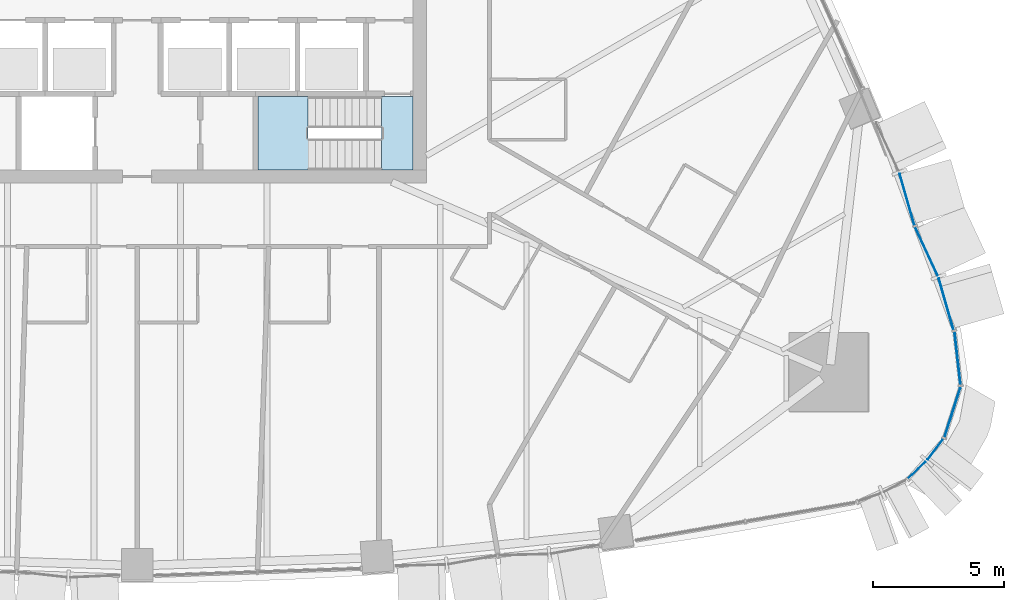
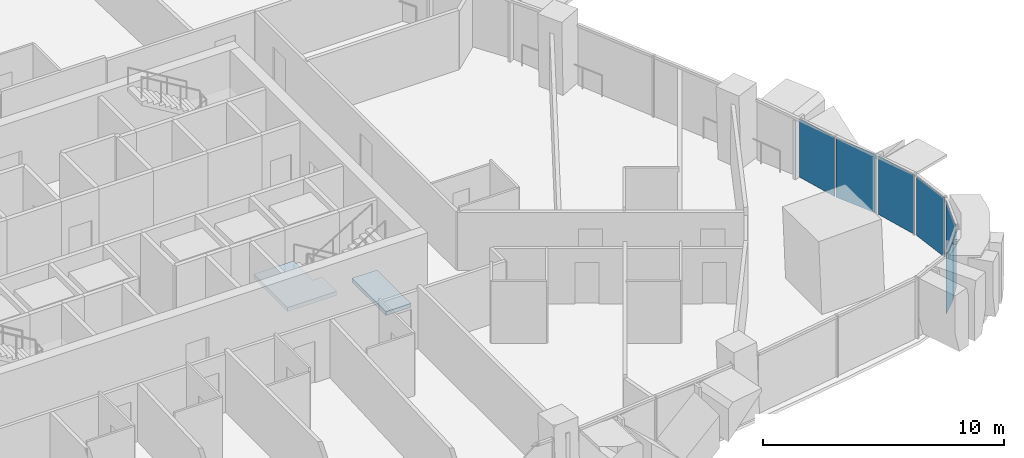
# One storey, part 9 of 19: 7 plates, 2 slabs, 5 elements without a shape of their own.
"""IFC4 building model written with IfcOpenShell, lengths in metres."""

from ifc_helpers import new_model, si_unit, direction, frame, origin, origin_2d, place, context, subcontext, project, spatial, polyline, rectangle, outline, extrude, material, layer, layer_set, type_object, element, aggregate, save


model = new_model("IFC4")

# Units and contexts
model_context = context("Model", 3, precision=1e-05, world=origin(), true_north=direction((0.0, 1.0)))
body_context = subcontext(model_context, "Body", "Model", "MODEL_VIEW")
ifc_project = project(units=[si_unit("LENGTHUNIT", "METRE"), si_unit("AREAUNIT", "SQUARE_METRE"), si_unit("VOLUMEUNIT", "CUBIC_METRE"), si_unit("PLANEANGLEUNIT", "RADIAN"), si_unit("MASSUNIT", "GRAM", prefix="KILO")], contexts=[model_context])

# Site, building, storey
site_placement = place(None, origin())
site = spatial("IfcSite", under=ifc_project, at=site_placement, CompositionType="ELEMENT")
building_placement = place(site_placement, origin())
building = spatial("IfcBuilding", under=site, at=building_placement, Name="Sierra Prisma Convention Tower", CompositionType="ELEMENT")
storey_placement = place(building_placement, frame((0.0, 0.0, 77.60009765625)))
storey = spatial("IfcBuildingStorey", under=building, at=storey_placement, Name="L15", CompositionType="ELEMENT", Elevation=77.60009765625)

# Curtain wall, plate
ifc_material_1 = material(Name="Aluminium and glass curtain wall", Category="aluminium")
ifc_layer_1 = layer(ifc_material_1, 0.179931640625)
ifc_layer_set_1 = layer_set([ifc_layer_1], Name="CW-1 Plain shaft curtain wall")
curtain_wall_type_1 = type_object("IfcCurtainWallType", Name="CW-1 Plain shaft curtain wall", PredefinedType="NOTDEFINED", material=ifc_layer_set_1)
curtain_wall_1_placement = place(storey_placement, origin())
curtain_wall_1 = element("IfcCurtainWall", 1, at=curtain_wall_1_placement, inside=storey, type_object=curtain_wall_type_1, Name="CW-1 SE3 L15", PredefinedType="NOTDEFINED")
ifc_material_2 = material(Name="Tinted glass bronze-grey IGU", Category="glass")
ifc_layer_2 = layer(ifc_material_2, 0.028076171875)
ifc_layer_set_2 = layer_set([ifc_layer_2], Name="CW-1 glass panel")
plate_type_1 = type_object("IfcPlateType", Name="CW-1 glass panel", PredefinedType="CURTAIN_PANEL", material=ifc_layer_set_2)
plate_1_placement = place(storey_placement, frame((31.01123046875, -16.730712890625, 0.0), z_axis=(0.0, 0.0, 1.0), x_axis=(0.304557497291, 0.95249395318, 0.0)))
plate_1 = element("IfcPlate", 2, at=plate_1_placement, type_object=plate_type_1, Name="CW-1 panel SE3.1", PredefinedType="CURTAIN_PANEL", context=body_context, shape_type="SweptSolid", body=[
    extrude(rectangle(XDim=1.960693359375, YDim=0.028076171875, at=origin_2d()), origin(), (0.0, 0.0, 1.0), 2.97998046875),
])
aggregate(curtain_wall_1, [plate_1])

curtain_wall_2_placement = place(storey_placement, origin())
curtain_wall_2 = element("IfcCurtainWall", 3, at=curtain_wall_2_placement, inside=storey, type_object=curtain_wall_type_1, Name="CW-1 SE4 L15", PredefinedType="NOTDEFINED")
plate_2_placement = place(storey_placement, frame((31.21240234375, -14.6865234375, 0.0), z_axis=(0.0, 0.0, 1.0), x_axis=(-0.112981367016, 0.993597106833, 0.0)))
plate_2 = element("IfcPlate", 4, at=plate_2_placement, type_object=plate_type_1, Name="CW-1 panel SE4.1", PredefinedType="CURTAIN_PANEL", context=body_context, shape_type="SweptSolid", body=[
    extrude(rectangle(XDim=1.960693359375, YDim=0.028076171875, at=origin_2d()), origin(), (0.0, 0.0, 1.0), 2.97998046875),
])
aggregate(curtain_wall_2, [plate_2])

# Curtain wall, plates
ifc_material_3 = material(Name="Aluminium and glass curtain wall", Category="aluminium")
ifc_layer_3 = layer(ifc_material_3, 0.179931640625)
ifc_layer_set_3 = layer_set([ifc_layer_3], Name="CW-2 Faceted crystal curtain wall")
curtain_wall_type_2 = type_object("IfcCurtainWallType", Name="CW-2 Faceted crystal curtain wall", PredefinedType="NOTDEFINED", material=ifc_layer_set_3)
curtain_wall_3_placement = place(storey_placement, origin())
curtain_wall_3 = element("IfcCurtainWall", 5, at=curtain_wall_3_placement, inside=storey, type_object=curtain_wall_type_2, Name="CW-2 SE2 L15", PredefinedType="NOTDEFINED")
ifc_material_4 = material(Name="Tinted glass bronze-grey IGU", Category="glass")
ifc_layer_4 = layer(ifc_material_4, 0.028076171875)
ifc_layer_set_4 = layer_set([ifc_layer_4], Name="CW-2 crystal pane")
plate_type_2 = type_object("IfcPlateType", Name="CW-2 crystal pane", PredefinedType="CURTAIN_PANEL", material=ifc_layer_set_4)
plate_3_placement = place(storey_placement, frame((29.333740234375, -19.241455078125, 0.0), z_axis=(0.688938044074, -0.72482023387, 0.0), x_axis=(0.72482023387, 0.688938044074, 0.0)))
plate_3 = element("IfcPlate", 6, at=plate_3_placement, type_object=plate_type_2, Name="CW-2 pane SE2.1.1", PredefinedType="CURTAIN_PANEL", context=body_context, shape_type="SweptSolid", body=[
    extrude(outline(polyline([(0.0, 0.0), (0.9185332490243023, 0.0), (0.9185332490243023, 2.97998046875), (0.0, 2.97998046875), (0.0, 0.0)])), origin(), (0.0, 0.0, -1.0), 0.028076171875),
])
plate_4_placement = place(storey_placement, frame((30.64453125, -17.783203125, 0.0), z_axis=(0.793897261169, -0.608051921063, 0.0), x_axis=(-0.608051921063, -0.793897261169, 0.0)))
plate_4 = element("IfcPlate", 7, at=plate_4_placement, type_object=plate_type_2, Name="CW-2 pane SE2.1.2", PredefinedType="CURTAIN_PANEL", context=body_context, shape_type="SweptSolid", body=[
    extrude(outline(polyline([(0.0, 0.0), (0.9182597571586015, 0.0), (0.9182597571586015, -2.97998046875), (0.0, -2.97998046875), (0.0, 0.0)])), origin(), (0.0, 0.0, -1.0), 0.028076171875),
])
aggregate(curtain_wall_3, [plate_3, plate_4])

curtain_wall_4_placement = place(storey_placement, origin())
curtain_wall_4 = element("IfcCurtainWall", 8, at=curtain_wall_4_placement, inside=storey, type_object=curtain_wall_type_2, Name="CW-2 NE1 L15", PredefinedType="NOTDEFINED")
plate_5_placement = place(storey_placement, frame((31.0693359375, -13.5771484375, 0.0), z_axis=(0.961278773093, 0.275577793736, 0.0), x_axis=(-0.275577793736, 0.961278773093, 0.0)))
plate_5 = element("IfcPlate", 9, at=plate_5_placement, type_object=plate_type_2, Name="CW-2 pane NE1.1.1", PredefinedType="CURTAIN_PANEL", context=body_context, shape_type="SweptSolid", body=[
    extrude(outline(polyline([(0.0, 0.0), (2.0323066897271236, 0.0), (2.0323066897271236, 2.97998046875), (0.0, 2.97998046875), (0.0, 0.0)])), origin(), (0.0, 0.0, -1.0), 0.028076171875),
])
plate_6_placement = place(storey_placement, frame((29.605224609375, -9.660400390625, 0.0), z_axis=(0.906345745984, 0.422536848969, 0.0), x_axis=(0.422536848969, -0.906345745984, 0.0)))
plate_6 = element("IfcPlate", 10, at=plate_6_placement, type_object=plate_type_2, Name="CW-2 pane NE1.1.2", PredefinedType="CURTAIN_PANEL", context=body_context, shape_type="SweptSolid", body=[
    extrude(outline(polyline([(0.0, 0.0), (2.032112891974487, 0.0), (2.032112891974487, -2.97998046875), (0.0, -2.97998046875), (0.0, 0.0)])), origin(), (0.0, 0.0, -1.0), 0.028076171875),
])
plate_7_placement = place(storey_placement, frame((29.58056640625, -9.5947265625, 0.0), z_axis=(0.961310590975, 0.275466781443, 0.0), x_axis=(-0.275466781443, 0.961310590975, 0.0)))
plate_7 = element("IfcPlate", 11, at=plate_7_placement, type_object=plate_type_2, Name="CW-2 pane NE1.2.1", PredefinedType="CURTAIN_PANEL", context=body_context, shape_type="SweptSolid", body=[
    extrude(outline(polyline([(0.0, 0.0), (2.032239423543406, 0.0), (2.032239423543406, 2.97998046875), (0.0, 2.97998046875), (0.0, 0.0)])), origin(), (0.0, 0.0, -1.0), 0.028076171875),
])
aggregate(curtain_wall_4, [plate_5, plate_6, plate_7])

# Stair, slab
ifc_material_5 = material(Name="Concrete C30/37", Category="concrete")
stair_type = type_object("IfcStairType", Name="Stair dog-leg 1200 RC", PredefinedType="HALF_TURN_STAIR", material=ifc_material_5)
stair_placement = place(storey_placement, origin())
stair = element("IfcStair", 12, at=stair_placement, inside=storey, type_object=stair_type, Name="L15 S2", PredefinedType="HALF_TURN_STAIR")
ifc_material_6 = material(Name="Concrete C35/45", Category="concrete")
ifc_layer_5 = layer(ifc_material_6, 0.199951171875)
ifc_layer_set_5 = layer_set([ifc_layer_5], Name="Stair landing slab")
slab_type = type_object("IfcSlabType", Name="Stair landing slab", PredefinedType="LANDING", material=ifc_layer_set_5)
slab_1_placement = place(storey_placement, frame((0.0, 0.0, 1.64990234375)))
slab_1 = element("IfcSlab", 13, at=slab_1_placement, type_object=slab_type, Name="S2 landing 1", PredefinedType="LANDING", context=body_context, shape_type="SweptSolid", body=[
    extrude(outline(polyline([(6.949951171875, -6.300048828125), (6.949951171875, -7.5), (4.60009765625, -7.5), (4.60009765625, -4.699951171875), (6.501953125, -4.699951171875), (6.501953125, -6.300048828125), (6.949951171875, -6.300048828125)])), origin(), (0.0, 0.0, 1.0), 0.199951171875),
])
aggregate(stair, [slab_1])

# Slab
slab_2_placement = place(storey_placement, frame((0.0, 0.0, -0.2001953125)))
element("IfcSlab", 14, at=slab_2_placement, inside=storey, type_object=slab_type, Name="S2 floor landing L15", PredefinedType="LANDING", context=body_context, shape_type="SweptSolid", body=[
    extrude(outline(polyline([(10.5, -4.699951171875), (9.298095703125, -4.699951171875), (9.298095703125, -7.5), (10.5, -7.5), (10.5, -4.699951171875)])), origin(), (0.0, 0.0, 1.0), 0.2001953125),
])

save(model, "model.ifc")
